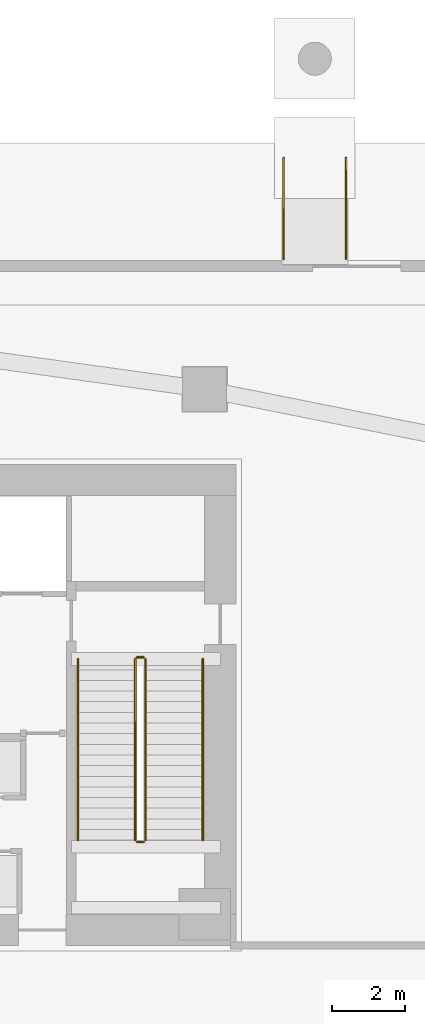
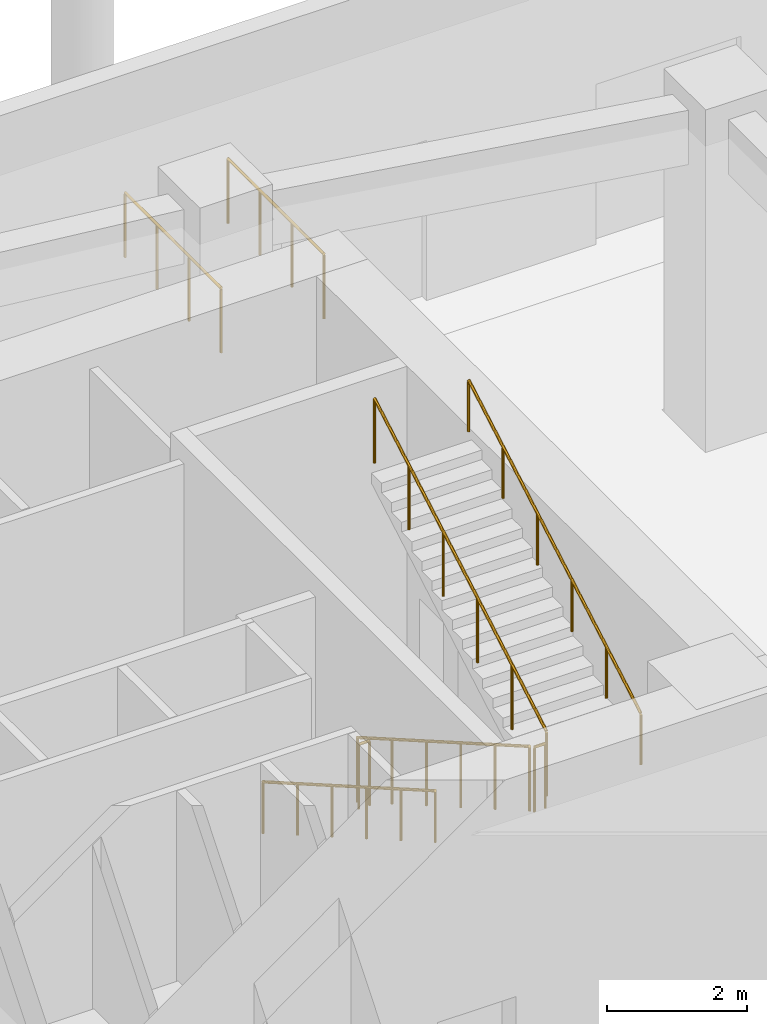
# One storey, part 11 of 13: 8 railings.
"""IFC4 building model written with IfcOpenShell, lengths in metres."""

from ifc_helpers import new_model, si_unit, direction, frame, origin, origin_2d, place, context, subcontext, project, spatial, circle, extrude, material, type_object, element, save


model = new_model("IFC4")

# Units and contexts
model_context = context("Model", 3, precision=1e-05, world=origin(), true_north=direction((0.0, 1.0)))
body_context = subcontext(model_context, "Body", "Model", "MODEL_VIEW")
ifc_project = project(units=[si_unit("LENGTHUNIT", "METRE"), si_unit("AREAUNIT", "SQUARE_METRE"), si_unit("VOLUMEUNIT", "CUBIC_METRE"), si_unit("PLANEANGLEUNIT", "RADIAN"), si_unit("MASSUNIT", "GRAM", prefix="KILO")], contexts=[model_context])

# Site, building, storey
site_placement = place(None, origin())
site = spatial("IfcSite", under=ifc_project, at=site_placement, CompositionType="ELEMENT")
building_placement = place(site_placement, origin())
building = spatial("IfcBuilding", under=site, at=building_placement, Name="Calvemar Wedge Station Tower", CompositionType="ELEMENT")
storey_placement = place(building_placement, origin())
storey = spatial("IfcBuildingStorey", under=building, at=storey_placement, Name="L01", CompositionType="ELEMENT", Elevation=0.0)

# Railings
ifc_material_1 = material(Name="Stainless steel AISI 316L", Category="steel")
railing_type_1 = type_object("IfcRailingType", Name="RL-HANDRAIL-920", PredefinedType="HANDRAIL", material=ifc_material_1)
railing_1_placement = place(storey_placement, frame((27.550048828125, 41.14990234375, 0.166748046875)))
element("IfcRailing", 1, at=railing_1_placement, inside=storey, type_object=railing_type_1, Name="L01 ST-C2 stair handrail 1", PredefinedType="HANDRAIL", context=body_context, shape_type="SweptSolid", body=[
    extrude(circle(Radius=0.02392578125, at=origin_2d()), frame((0.0, 0.0, 0.89599609375), z_axis=(0.0, -0.867017142139, 0.498278311025), x_axis=(1.0, 0.0, 0.0)), (0.0, 0.0, 1.0), 5.68603515625),
    extrude(circle(Radius=0.02099609375, at=origin_2d()), origin(), (0.0, 0.0, 1.0), 0.871826171875),
    extrude(circle(Radius=0.02099609375, at=origin_2d()), frame((0.0, -0.986083984375, 0.566650390625)), (0.0, 0.0, 1.0), 0.871826171875),
    extrude(circle(Radius=0.02099609375, at=origin_2d()), frame((0.0, -1.971923828125, 1.13330078125)), (0.0, 0.0, 1.0), 0.871826171875),
    extrude(circle(Radius=0.02099609375, at=origin_2d()), frame((0.0, -2.9580078125, 1.699951171875)), (0.0, 0.0, 1.0), 0.871826171875),
    extrude(circle(Radius=0.02099609375, at=origin_2d()), frame((0.0, -3.94384765625, 2.2666015625)), (0.0, 0.0, 1.0), 0.871826171875),
    extrude(circle(Radius=0.02099609375, at=origin_2d()), frame((0.0, -4.929931640625, 2.833251953125)), (0.0, 0.0, 1.0), 0.871826171875),
])
railing_2_placement = place(storey_placement, frame((30.949951171875, 36.219970703125, 3.166748046875)))
element("IfcRailing", 2, at=railing_2_placement, inside=storey, type_object=railing_type_1, Name="L01 ST-C2 stair handrail 2", PredefinedType="HANDRAIL", context=body_context, shape_type="SweptSolid", body=[
    extrude(circle(Radius=0.02392578125, at=origin_2d()), frame((0.0, 0.0, 0.89599609375), z_axis=(0.0, 0.867017142139, 0.498278311025), x_axis=(-1.0, 0.0, 0.0)), (0.0, 0.0, 1.0), 5.68603515625),
    extrude(circle(Radius=0.02099609375, at=origin_2d()), origin(), (0.0, 0.0, 1.0), 0.871826171875),
    extrude(circle(Radius=0.02099609375, at=origin_2d()), frame((0.0, 0.986083984375, 0.566650390625)), (0.0, 0.0, 1.0), 0.871826171875),
    extrude(circle(Radius=0.02099609375, at=origin_2d()), frame((0.0, 1.971923828125, 1.13330078125)), (0.0, 0.0, 1.0), 0.871826171875),
    extrude(circle(Radius=0.02099609375, at=origin_2d()), frame((0.0, 2.9580078125, 1.699951171875)), (0.0, 0.0, 1.0), 0.871826171875),
    extrude(circle(Radius=0.02099609375, at=origin_2d()), frame((0.0, 3.94384765625, 2.2666015625)), (0.0, 0.0, 1.0), 0.871826171875),
    extrude(circle(Radius=0.02099609375, at=origin_2d()), frame((0.0, 4.929931640625, 2.833251953125)), (0.0, 0.0, 1.0), 0.871826171875),
])
ifc_material_2 = material(Name="Painted steel guardrail ASTM A500 Grade C", Category="steel")
railing_type_2 = type_object("IfcRailingType", Name="RL-STAIR-GUARD-1150", PredefinedType="GUARDRAIL", material=ifc_material_2)
railing_3_placement = place(storey_placement, frame((29.110107421875, 41.14990234375, 0.166748046875)))
element("IfcRailing", 3, at=railing_3_placement, inside=storey, type_object=railing_type_2, Name="L01 ST-C2 stair guard 1", PredefinedType="GUARDRAIL", context=body_context, shape_type="SweptSolid", body=[
    extrude(circle(Radius=0.02392578125, at=origin_2d()), frame((0.0, 0.0, 1.1259765625), z_axis=(0.0, -0.867017142139, 0.498278311025), x_axis=(1.0, 0.0, 0.0)), (0.0, 0.0, 1.0), 5.68603515625),
    extrude(circle(Radius=0.02099609375, at=origin_2d()), origin(), (0.0, 0.0, 1.0), 1.101806640625),
    extrude(circle(Radius=0.02099609375, at=origin_2d()), frame((0.0, -0.986083984375, 0.566650390625)), (0.0, 0.0, 1.0), 1.101806640625),
    extrude(circle(Radius=0.02099609375, at=origin_2d()), frame((0.0, -1.971923828125, 1.13330078125)), (0.0, 0.0, 1.0), 1.101806640625),
    extrude(circle(Radius=0.02099609375, at=origin_2d()), frame((0.0, -2.9580078125, 1.699951171875)), (0.0, 0.0, 1.0), 1.101806640625),
    extrude(circle(Radius=0.02099609375, at=origin_2d()), frame((0.0, -3.94384765625, 2.2666015625)), (0.0, 0.0, 1.0), 1.101806640625),
    extrude(circle(Radius=0.02099609375, at=origin_2d()), frame((0.0, -4.929931640625, 2.833251953125)), (0.0, 0.0, 1.0), 1.101806640625),
])
railing_4_placement = place(storey_placement, frame((29.159912109375, 36.169921875, 3.0)))
element("IfcRailing", 4, at=railing_4_placement, inside=storey, type_object=railing_type_2, Name="L01 ST-C2 stair guard 2", PredefinedType="GUARDRAIL", context=body_context, shape_type="SweptSolid", body=[
    extrude(circle(Radius=0.02392578125, at=origin_2d()), frame((0.0, 0.0, 1.1259765625), z_axis=(1.0, 0.0, 0.0), x_axis=(0.0, 1.0, 0.0)), (0.0, 0.0, 1.0), 0.18017578125),
    extrude(circle(Radius=0.02099609375, at=origin_2d()), origin(), (0.0, 0.0, 1.0), 1.101806640625),
    extrude(circle(Radius=0.02099609375, at=origin_2d()), frame((0.18017578125, 0.0, 0.0)), (0.0, 0.0, 1.0), 1.101806640625),
])
railing_5_placement = place(storey_placement, frame((29.389892578125, 36.219970703125, 3.166748046875)))
element("IfcRailing", 5, at=railing_5_placement, inside=storey, type_object=railing_type_2, Name="L01 ST-C2 stair guard 3", PredefinedType="GUARDRAIL", context=body_context, shape_type="SweptSolid", body=[
    extrude(circle(Radius=0.02392578125, at=origin_2d()), frame((0.0, 0.0, 1.1259765625), z_axis=(0.0, 0.867017142139, 0.498278311025), x_axis=(-1.0, 0.0, 0.0)), (0.0, 0.0, 1.0), 5.68603515625),
    extrude(circle(Radius=0.02099609375, at=origin_2d()), origin(), (0.0, 0.0, 1.0), 1.101806640625),
    extrude(circle(Radius=0.02099609375, at=origin_2d()), frame((0.0, 0.986083984375, 0.566650390625)), (0.0, 0.0, 1.0), 1.101806640625),
    extrude(circle(Radius=0.02099609375, at=origin_2d()), frame((0.0, 1.971923828125, 1.13330078125)), (0.0, 0.0, 1.0), 1.101806640625),
    extrude(circle(Radius=0.02099609375, at=origin_2d()), frame((0.0, 2.9580078125, 1.699951171875)), (0.0, 0.0, 1.0), 1.101806640625),
    extrude(circle(Radius=0.02099609375, at=origin_2d()), frame((0.0, 3.94384765625, 2.2666015625)), (0.0, 0.0, 1.0), 1.101806640625),
    extrude(circle(Radius=0.02099609375, at=origin_2d()), frame((0.0, 4.929931640625, 2.833251953125)), (0.0, 0.0, 1.0), 1.101806640625),
])
railing_6_placement = place(storey_placement, frame((29.159912109375, 41.199951171875, 0.0)))
element("IfcRailing", 6, at=railing_6_placement, inside=storey, type_object=railing_type_2, Name="L01 ST-C2 stair guard 4", PredefinedType="GUARDRAIL", context=body_context, shape_type="SweptSolid", body=[
    extrude(circle(Radius=0.02392578125, at=origin_2d()), frame((0.0, 0.0, 1.1259765625), z_axis=(1.0, 0.0, 0.0), x_axis=(0.0, 1.0, 0.0)), (0.0, 0.0, 1.0), 0.18017578125),
    extrude(circle(Radius=0.02099609375, at=origin_2d()), origin(), (0.0, 0.0, 1.0), 1.101806640625),
    extrude(circle(Radius=0.02099609375, at=origin_2d()), frame((0.18017578125, 0.0, 0.0)), (0.0, 0.0, 1.0), 1.101806640625),
])
for number, where, name in (
    (7, (33.14990234375, 54.800048828125, 0.0), "Accessible Ramp Guardrail 5"),
    (8, (34.85009765625, 54.800048828125, 0.0), "Accessible Ramp Guardrail 6"),
):
    element("IfcRailing", number, at=place(storey_placement, frame(where)), inside=storey, type_object=railing_type_2, Name=name, PredefinedType="GUARDRAIL", context=body_context, shape_type="SweptSolid", body=[
        extrude(circle(Radius=0.02392578125, at=origin_2d()), frame((0.0, 0.0, 1.1259765625), z_axis=(0.0, -1.0, 0.0), x_axis=(1.0, 0.0, 0.0)), (0.0, 0.0, 1.0), 2.75),
        extrude(circle(Radius=0.02099609375, at=origin_2d()), origin(), (0.0, 0.0, 1.0), 1.101806640625),
        extrude(circle(Radius=0.02099609375, at=origin_2d()), frame((0.0, -0.916748046875, 0.0)), (0.0, 0.0, 1.0), 1.101806640625),
        extrude(circle(Radius=0.02099609375, at=origin_2d()), frame((0.0, -1.833251953125, 0.0)), (0.0, 0.0, 1.0), 1.101806640625),
        extrude(circle(Radius=0.02099609375, at=origin_2d()), frame((0.0, -2.75, 0.0)), (0.0, 0.0, 1.0), 1.101806640625),
    ])

save(model, "model.ifc")
